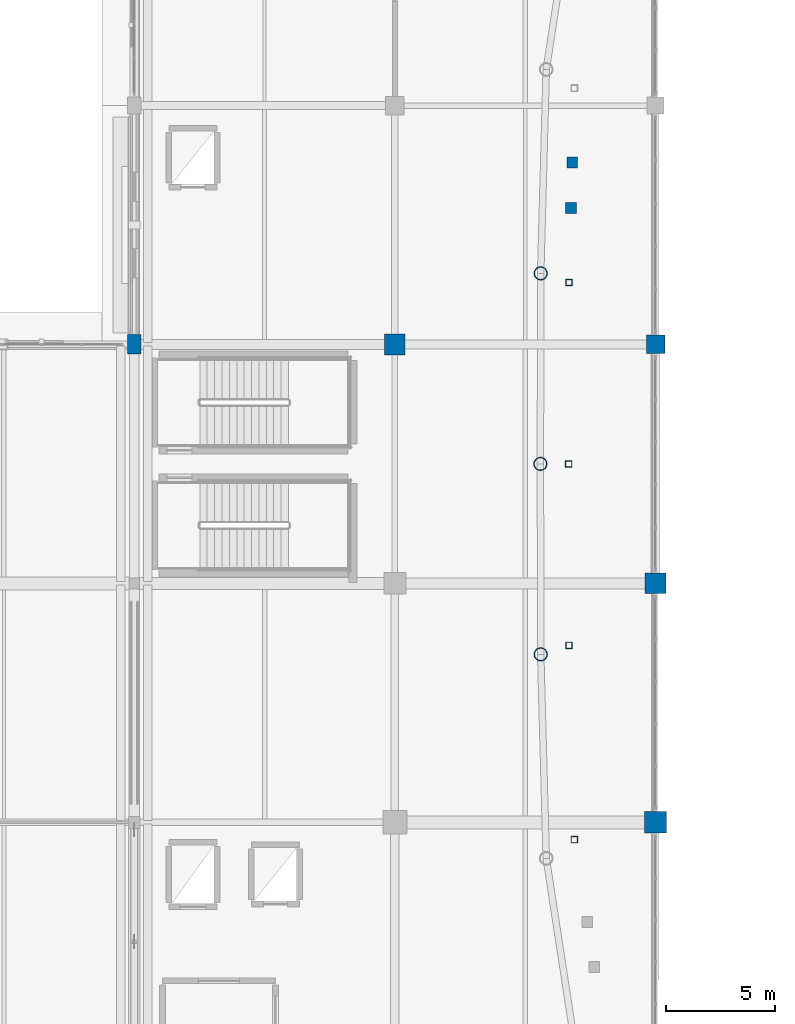
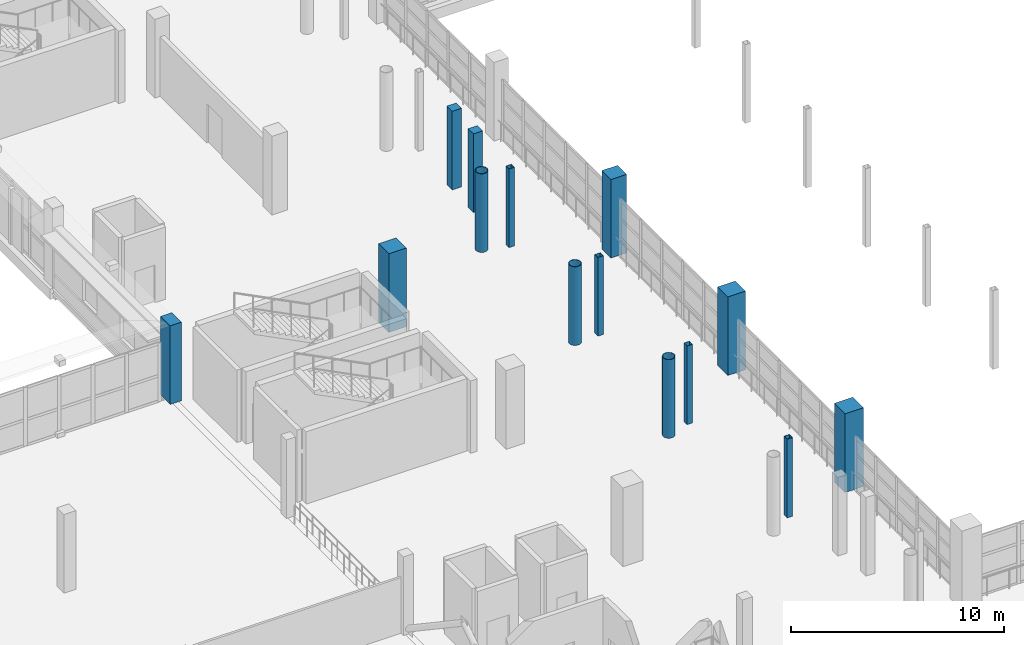
# One storey, part 4 of 118: 14 columns.
"""IFC4 building model written with IfcOpenShell, lengths in metres."""

import ifcopenshell
import ifcopenshell.guid

model = None  # the IFC model being written
_history = None  # IfcOwnerHistory: only IFC2X3 demands one
_inside = {}  # id of a spatial element -> (the spatial element, [elements in it])
_under = {}  # id of a project, library or spatial element -> (it, [spatial elements below it])
_declared = {}  # id of a project -> (the project, [libraries it declares])
_typed = {}  # id of a type object -> (the type object, [elements of that type])
_made_of = {}  # id of a material, layer set ... -> (it, [elements and type objects made of it])


def new_model(schema):
    """Start an empty IFC model of exactly this schema.

    Asked for "IFC4X3", IfcOpenShell would pick the latest addendum, in which some entities
    have other attributes; the version numbers below select the first issue.
    IFC2X3 requires an IfcOwnerHistory on every rooted entity: one is made here for all.
    """
    global model, _history
    if schema == "IFC4X3":
        model = ifcopenshell.file(schema_version=(4, 3, 0, 0))
    else:
        model = ifcopenshell.file(schema=schema)
    _inside.clear()
    _under.clear()
    _declared.clear()
    _typed.clear()
    _made_of.clear()
    _history = None
    if model.schema == "IFC2X3":
        org = make("IfcOrganization", Name="unknown")
        user = make(
            "IfcPersonAndOrganization",
            ThePerson=make("IfcPerson", FamilyName="unknown"),
            TheOrganization=org,
        )
        app = make(
            "IfcApplication",
            ApplicationDeveloper=org,
            Version="unknown",
            ApplicationFullName="unknown",
            ApplicationIdentifier="unknown",
        )
        _history = make(
            "IfcOwnerHistory",
            OwningUser=user,
            OwningApplication=app,
            ChangeAction="ADDED",
            CreationDate=0,
        )
    return model


def make(cls, **values):
    """One entity of the class cls with the attributes given. An attribute that is None is left unset."""
    return model.create_entity(
        cls, **{name: value for name, value in values.items() if value is not None}
    )


def rooted(cls, **values):
    """An entity with a GlobalId (a new one), such as an element, a storey or a relation."""
    return make(cls, GlobalId=ifcopenshell.guid.new(), OwnerHistory=_history, **values)


def si_unit(unit_type, name, prefix=None):
    """IfcSIUnit, for example si_unit("LENGTHUNIT", "METRE", prefix="MILLI")."""
    return make("IfcSIUnit", UnitType=unit_type, Prefix=prefix, Name=name)


def assignment(units):
    """IfcUnitAssignment: the units of a project."""
    return None if units is None else make("IfcUnitAssignment", Units=units)


def point(xyz):
    """IfcCartesianPoint."""
    return None if xyz is None else make("IfcCartesianPoint", Coordinates=xyz)


def direction(xyz):
    """IfcDirection."""
    return None if xyz is None else make("IfcDirection", DirectionRatios=xyz)


def frame(location, z_axis=None, x_axis=None):
    """IfcAxis2Placement3D, a coordinate frame: its origin and axes. An axis left out is left unset."""
    return make(
        "IfcAxis2Placement3D",
        Location=point(location),
        Axis=direction(z_axis),
        RefDirection=direction(x_axis),
    )


def frame_2d(location, x_axis=None):
    """IfcAxis2Placement2D, a coordinate frame in the plane: its origin and x axis."""
    return make(
        "IfcAxis2Placement2D", Location=point(location), RefDirection=direction(x_axis)
    )


def origin():
    """The frame at (0, 0, 0) with its axes left unset."""
    return frame((0.0, 0.0, 0.0))


def origin_2d():
    """The frame at (0, 0) in the plane with its x axis left unset."""
    return frame_2d((0.0, 0.0))


def place(relative_to, where):
    """IfcLocalPlacement: puts the frame where relative to a parent placement (None: the world)."""
    return make(
        "IfcLocalPlacement", PlacementRelTo=relative_to, RelativePlacement=where
    )


def context(
    kind, dimensions, precision=None, world=None, true_north=None, identifier=None
):
    """IfcGeometricRepresentationContext, for example the 3D "Model" context."""
    return make(
        "IfcGeometricRepresentationContext",
        ContextIdentifier=identifier,
        ContextType=kind,
        CoordinateSpaceDimension=dimensions,
        Precision=precision,
        WorldCoordinateSystem=world,
        TrueNorth=true_north,
    )


def subcontext(parent, identifier, kind, view, scale=None):
    """IfcGeometricRepresentationSubContext, for example "Body" below "Model"."""
    return make(
        "IfcGeometricRepresentationSubContext",
        ContextIdentifier=identifier,
        ContextType=kind,
        ParentContext=parent,
        TargetScale=scale,
        TargetView=view,
    )


def project(units=None, contexts=None):
    """IfcProject with its units and contexts."""
    return rooted(
        "IfcProject",
        Name="project",
        RepresentationContexts=contexts,
        UnitsInContext=assignment(units),
    )


def spatial(cls, under=None, at=None, **own):
    """A site, building, storey or space (cls), placed at a placement, below another one or the project."""
    s = rooted(cls, ObjectPlacement=at, **own)
    if under is not None:
        _under.setdefault(under.id(), (under, []))[1].append(s)
    return s


def profile(cls, at=None, kind="AREA", **sizes):
    """A parametric profile (cls). Its sizes go by their IFC names, for example OverallWidth=200.0."""
    return make(cls, ProfileType=kind, Position=at, **sizes)


def rectangle(**sizes):
    """IfcRectangleProfileDef."""
    return profile("IfcRectangleProfileDef", **sizes)


def hollow_rectangle(**sizes):
    """IfcRectangleHollowProfileDef."""
    return profile("IfcRectangleHollowProfileDef", **sizes)


def hollow_circle(**sizes):
    """IfcCircleHollowProfileDef."""
    return profile("IfcCircleHollowProfileDef", **sizes)


def extrude(swept, where, along, depth):
    """IfcExtrudedAreaSolid: the profile swept, set in the frame where, extruded along a direction by depth."""
    return make(
        "IfcExtrudedAreaSolid",
        SweptArea=swept,
        Position=where,
        ExtrudedDirection=direction(along),
        Depth=depth,
    )


def shape(context_of_items, identifier, shape_type, items):
    """IfcShapeRepresentation: the items that make up one representation, for example the "Body"."""
    return make(
        "IfcShapeRepresentation",
        ContextOfItems=context_of_items,
        RepresentationIdentifier=identifier,
        RepresentationType=shape_type,
        Items=items,
    )


def material(Name=None, Category=None):
    """IfcMaterial."""
    return make("IfcMaterial", Name=Name, Category=Category)


def material_profile(
    of_material, cross_section, Name=None, Category=None, Priority=None
):
    """IfcMaterialProfile: a cross section and its material."""
    return make(
        "IfcMaterialProfile",
        Name=Name,
        Material=of_material,
        Profile=cross_section,
        Priority=Priority,
        Category=Category,
    )


def profile_set(profiles, Name=None, composite=None):
    """IfcMaterialProfileSet."""
    return make(
        "IfcMaterialProfileSet",
        Name=Name,
        MaterialProfiles=profiles,
        CompositeProfile=composite,
    )


def made_of(thing, what):
    """Note that an element or type object is made of a material, layer set ...; save() writes the relation."""
    if what is not None:
        _made_of.setdefault(what.id(), (what, []))[1].append(thing)
    return thing


def type_object(cls, material=None, **own):
    """A type object (cls), such as IfcWallType, which elements share."""
    return made_of(rooted(cls, **own), material)


def element(
    cls,
    number,
    at=None,
    inside=None,
    cuts=None,
    type_object=None,
    material=None,
    context=None,
    identifier="Body",
    shape_type=None,
    held_by="IfcProductDefinitionShape",
    body=None,
    shapes=None,
    **own,
):
    """One element of the class cls, such as IfcWall. Its Tag is "e" and its number.

    at: its placement. inside: the storey or other place that contains it. cuts: it is an
    opening in that element (IfcRelVoidsElement). A single representation is given by context,
    identifier, shape_type and body (its items); several are given by shapes. held_by: the class
    of the entity that holds the representations. save() writes the other relations.
    """
    e = rooted(cls, Tag="e%d" % number, ObjectPlacement=at, **own)
    if body is not None:
        shapes = [shape(context, identifier, shape_type, body)]
    if shapes is not None:
        e.Representation = make(held_by, Representations=shapes)
    if inside is not None:
        _inside.setdefault(inside.id(), (inside, []))[1].append(e)
    if cuts is not None:
        rooted(
            "IfcRelVoidsElement", RelatingBuildingElement=cuts, RelatedOpeningElement=e
        )
    if type_object is not None:
        _typed.setdefault(type_object.id(), (type_object, []))[1].append(e)
    return made_of(e, material)


def aggregate(whole, parts):
    """IfcRelAggregates: a whole, such as a stair, and the parts it consists of."""
    return rooted("IfcRelAggregates", RelatingObject=whole, RelatedObjects=parts)


def save(model, path):
    """Write the relations noted so far, then the file.

    IfcRelAggregates (storeys below a building ...), IfcRelContainedInSpatialStructure (elements
    in a storey), IfcRelDefinesByType, IfcRelAssociatesMaterial and IfcRelDeclares: one each for
    every whole, place, type object, material and project.
    """
    for whole, parts in _under.values():
        aggregate(whole, parts)
    for where, things in _inside.values():
        rooted(
            "IfcRelContainedInSpatialStructure",
            RelatedElements=things,
            RelatingStructure=where,
        )
    for kind, things in _typed.values():
        rooted("IfcRelDefinesByType", RelatedObjects=things, RelatingType=kind)
    for what, things in _made_of.values():
        rooted("IfcRelAssociatesMaterial", RelatedObjects=things, RelatingMaterial=what)
    for by, libraries in _declared.values():
        rooted("IfcRelDeclares", RelatingContext=by, RelatedDefinitions=libraries)
    model.write(path)


model = new_model("IFC4")

# Units and contexts
model_context = context("Model", 3, precision=1e-05, world=origin(), true_north=direction((0.0, 1.0)))
body_context = subcontext(model_context, "Body", "Model", "MODEL_VIEW")
ifc_project = project(units=[si_unit("LENGTHUNIT", "METRE"), si_unit("AREAUNIT", "SQUARE_METRE"), si_unit("VOLUMEUNIT", "CUBIC_METRE"), si_unit("PLANEANGLEUNIT", "RADIAN"), si_unit("MASSUNIT", "GRAM", prefix="KILO")], contexts=[model_context])

# Site, building, storey
site_placement = place(None, origin())
site = spatial("IfcSite", under=ifc_project, at=site_placement, CompositionType="ELEMENT")
building_placement = place(site_placement, origin())
building = spatial("IfcBuilding", under=site, at=building_placement, Name="Luwafu Chhajja Arena", CompositionType="ELEMENT")
storey_placement = place(building_placement, frame((0.0, 0.0, 10.199951171875)))
storey = spatial("IfcBuildingStorey", under=building, at=storey_placement, Name="L02", CompositionType="ELEMENT", Elevation=10.199951171875)

# Columns
ifc_material_1 = material(Name="Concrete C40/50", Category="concrete")
ifc_material_profile_1 = material_profile(ifc_material_1, rectangle(XDim=1.0, YDim=1.0, at=origin_2d()), Name="RC 1000x1000")
ifc_profile_set_1 = profile_set([ifc_material_profile_1], Name="Concrete C40/50")
column_type_1 = type_object("IfcColumnType", Name="Bowl Primary Column RC 1000", PredefinedType="COLUMN", material=ifc_profile_set_1)
column_1_placement = place(storey_placement, frame((58.0, 33.0, 0.0), z_axis=(0.0, 0.0, 1.0), x_axis=(1.0, 0.0, 0.0)))
element("IfcColumn", 1, at=column_1_placement, inside=storey, type_object=column_type_1, Name="L02 Grid Column 6/D", PredefinedType="COLUMN", context=body_context, shape_type="SweptSolid", body=[
    extrude(rectangle(XDim=1.0, YDim=1.0, at=origin_2d()), origin(), (0.0, 0.0, 1.0), 4.5),
])
ifc_material_profile_2 = material_profile(ifc_material_1, rectangle(XDim=0.949951171875, YDim=0.949951171875, at=origin_2d()), Name="RC 950x950")
ifc_profile_set_2 = profile_set([ifc_material_profile_2], Name="Concrete C40/50")
column_type_2 = type_object("IfcColumnType", Name="Bowl Raker Support Column RC 950", PredefinedType="COLUMN", material=ifc_profile_set_2)
for number, where, z_axis, x_axis, name in (
    (2, (46.0, 55.0, 0.0), (0.0, 0.0, 1.0), (1.0, 0.0, 0.0), "L02 Grid Column 5/F"),
    (3, (58.0, 44.0, 0.0), (0.0, 0.0, 1.0), (1.0, 0.0, 0.0), "L02 Grid Column 6/E"),
):
    element("IfcColumn", number, at=place(storey_placement, frame(where, z_axis=z_axis, x_axis=x_axis)), inside=storey, type_object=column_type_2, Name=name, PredefinedType="COLUMN", context=body_context, shape_type="SweptSolid", body=[
        extrude(rectangle(XDim=0.949951171875, YDim=0.949951171875, at=origin_2d()), origin(), (0.0, 0.0, 1.0), 4.5),
    ])
ifc_material_2 = material(Name="Concrete C35/45", Category="concrete")
ifc_material_profile_3 = material_profile(ifc_material_2, rectangle(XDim=0.85009765625, YDim=0.85009765625, at=origin_2d()), Name="RC 850x850")
ifc_profile_set_3 = profile_set([ifc_material_profile_3], Name="Concrete C35/45")
column_type_3 = type_object("IfcColumnType", Name="Concourse Heavy Column RC 850", PredefinedType="COLUMN", material=ifc_profile_set_3)
column_2_placement = place(storey_placement, frame((58.0, 55.0, 0.0), z_axis=(0.0, 0.0, 1.0), x_axis=(1.0, 0.0, 0.0)))
element("IfcColumn", 4, at=column_2_placement, inside=storey, type_object=column_type_3, Name="L02 Grid Column 6/F", PredefinedType="COLUMN", context=body_context, shape_type="SweptSolid", body=[
    extrude(rectangle(XDim=0.85009765625, YDim=0.85009765625, at=origin_2d()), origin(), (0.0, 0.0, 1.0), 4.5),
])
ifc_material_profile_4 = material_profile(ifc_material_2, rectangle(XDim=0.5, YDim=0.5, at=origin_2d()), Name="RC 500x500")
ifc_profile_set_4 = profile_set([ifc_material_profile_4], Name="Concrete C35/45")
column_type_4 = type_object("IfcColumnType", Name="Pavilion Column RC 500", PredefinedType="COLUMN", material=ifc_profile_set_4)
for number, where, z_axis, x_axis, name in (
    (5, (54.165283203125, 63.373779296875, 0.0), (0.0, 0.0, 1.0), (1.0, 0.0, 0.0), "L02 Vomitory Stack Column VU15A"),
    (6, (54.107177734375, 61.274658203125, 0.0), (0.0, 0.0, 1.0), (1.0, 0.0, 0.0), "L02 Vomitory Stack Column VU15B"),
):
    element("IfcColumn", number, at=place(storey_placement, frame(where, z_axis=z_axis, x_axis=x_axis)), inside=storey, type_object=column_type_4, Name=name, PredefinedType="COLUMN", context=body_context, shape_type="SweptSolid", body=[
        extrude(rectangle(XDim=0.5, YDim=0.5, at=origin_2d()), origin(), (0.0, 0.0, 1.0), 4.5),
    ])
ifc_material_3 = material(Name="Steel S355", Category="steel")
ifc_material_profile_5 = material_profile(ifc_material_3, hollow_circle(Radius=0.304931640625, WallThickness=0.02490234375, at=origin_2d()), Name="CHS 610x25")
ifc_profile_set_5 = profile_set([ifc_material_profile_5], Name="Steel S355")
column_type_5 = type_object("IfcColumnType", Name="Steel Bowl Drum Column CHS 610", PredefinedType="COLUMN", material=ifc_profile_set_5)
for number, where, z_axis, x_axis, name in (
    (7, (52.71240234375, 58.269775390625, 0.0), (0.0, 0.0, 1.0), (1.0, 0.0, 0.0), "L02 Bowl Drum Column D16"),
    (8, (52.699951171875, 49.5, 0.0), (0.0, 0.0, 1.0), (1.0, 0.0, 0.0), "L02 Bowl Drum Column D17"),
    (9, (52.71240234375, 40.730224609375, 0.0), (0.0, 0.0, 1.0), (1.0, 0.0, 0.0), "L02 Bowl Drum Column D18"),
):
    element("IfcColumn", number, at=place(storey_placement, frame(where, z_axis=z_axis, x_axis=x_axis)), inside=storey, type_object=column_type_5, Name=name, PredefinedType="COLUMN", context=body_context, shape_type="SweptSolid", body=[
        extrude(hollow_circle(Radius=0.304931640625, WallThickness=0.02490234375, at=origin_2d()), origin(), (0.0, 0.0, 1.0), 4.5),
    ])
ifc_material_profile_6 = material_profile(ifc_material_3, hollow_rectangle(XDim=0.300048828125, YDim=0.300048828125, WallThickness=0.01611328125, at=origin_2d()), Name="SHS 300x300x16")
ifc_profile_set_6 = profile_set([ifc_material_profile_6], Name="Steel S355")
column_type_6 = type_object("IfcColumnType", Name="Steel Gallery Post SHS 300", PredefinedType="COLUMN", material=ifc_profile_set_6)
for number, where, z_axis, x_axis, name in (
    (10, (54.01220703125, 57.85205078125, 0.0), (0.0, 0.0, 1.0), (1.0, 0.0, 0.0), "L02 Upper Bowl Raker Column UO16"),
    (11, (54.0, 49.5, 0.0), (0.0, 0.0, 1.0), (1.0, 0.0, 0.0), "L02 Upper Bowl Raker Column UO17"),
    (12, (54.01220703125, 41.14794921875, 0.0), (0.0, 0.0, 1.0), (1.0, 0.0, 0.0), "L02 Upper Bowl Raker Column UO18"),
    (13, (54.260498046875, 32.20361328125, 0.0), (0.0, 0.0, 1.0), (1.0, 0.0, 0.0), "L02 Upper Bowl Raker Column UO19"),
):
    element("IfcColumn", number, at=place(storey_placement, frame(where, z_axis=z_axis, x_axis=x_axis)), inside=storey, type_object=column_type_6, Name=name, PredefinedType="COLUMN", context=body_context, shape_type="SweptSolid", body=[
        extrude(hollow_rectangle(XDim=0.300048828125, YDim=0.300048828125, WallThickness=0.01611328125, at=origin_2d()), origin(), (0.0, 0.0, 1.0), 4.5),
    ])
ifc_material_profile_7 = material_profile(ifc_material_1, rectangle(XDim=0.60009765625, YDim=0.89990234375, at=origin_2d()), Name="RC 600x900")
ifc_profile_set_7 = profile_set([ifc_material_profile_7], Name="Concrete C40/50")
column_type_7 = type_object("IfcColumnType", Name="Warm-Up Hall Portal Column RC 600x900", PredefinedType="COLUMN", material=ifc_profile_set_7)
column_3_placement = place(storey_placement, frame((34.0, 55.0, 0.0), z_axis=(0.0, 0.0, 1.0), x_axis=(1.0, 0.0, 0.0)))
element("IfcColumn", 14, at=column_3_placement, inside=storey, type_object=column_type_7, Name="L02 Grid Column 4/F", PredefinedType="COLUMN", context=body_context, shape_type="SweptSolid", body=[
    extrude(rectangle(XDim=0.60009765625, YDim=0.89990234375, at=origin_2d()), origin(), (0.0, 0.0, 1.0), 4.5),
])

save(model, "model.ifc")
